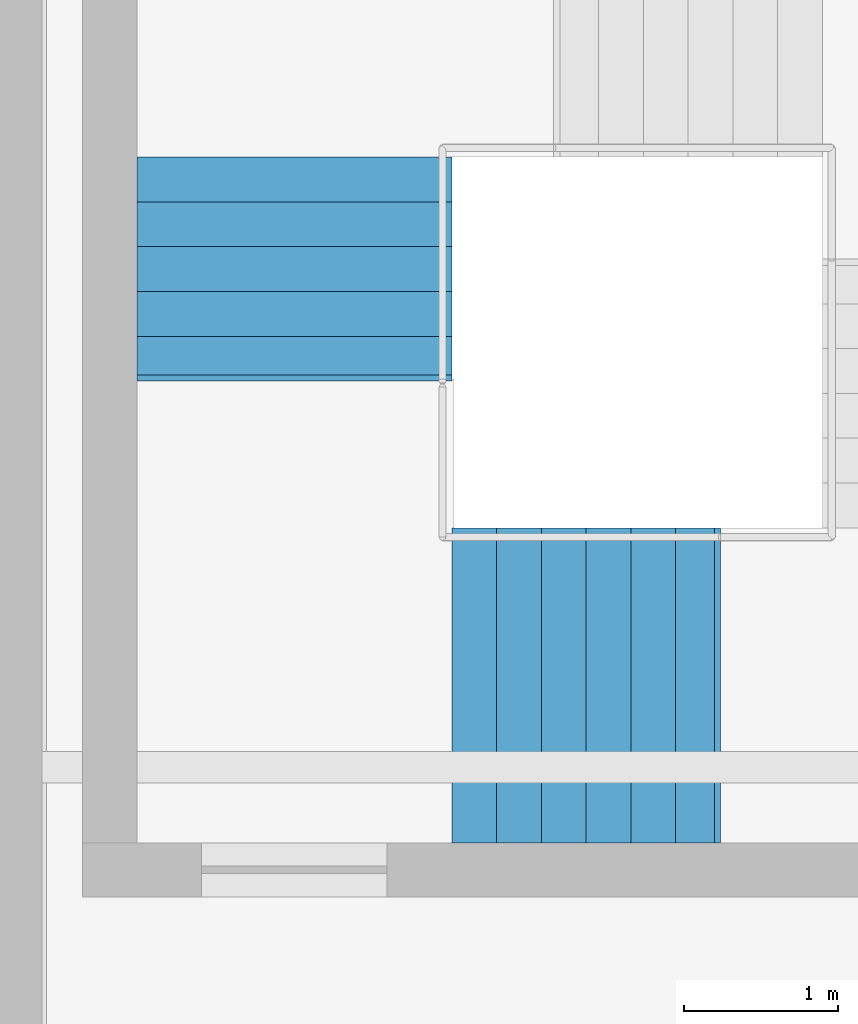
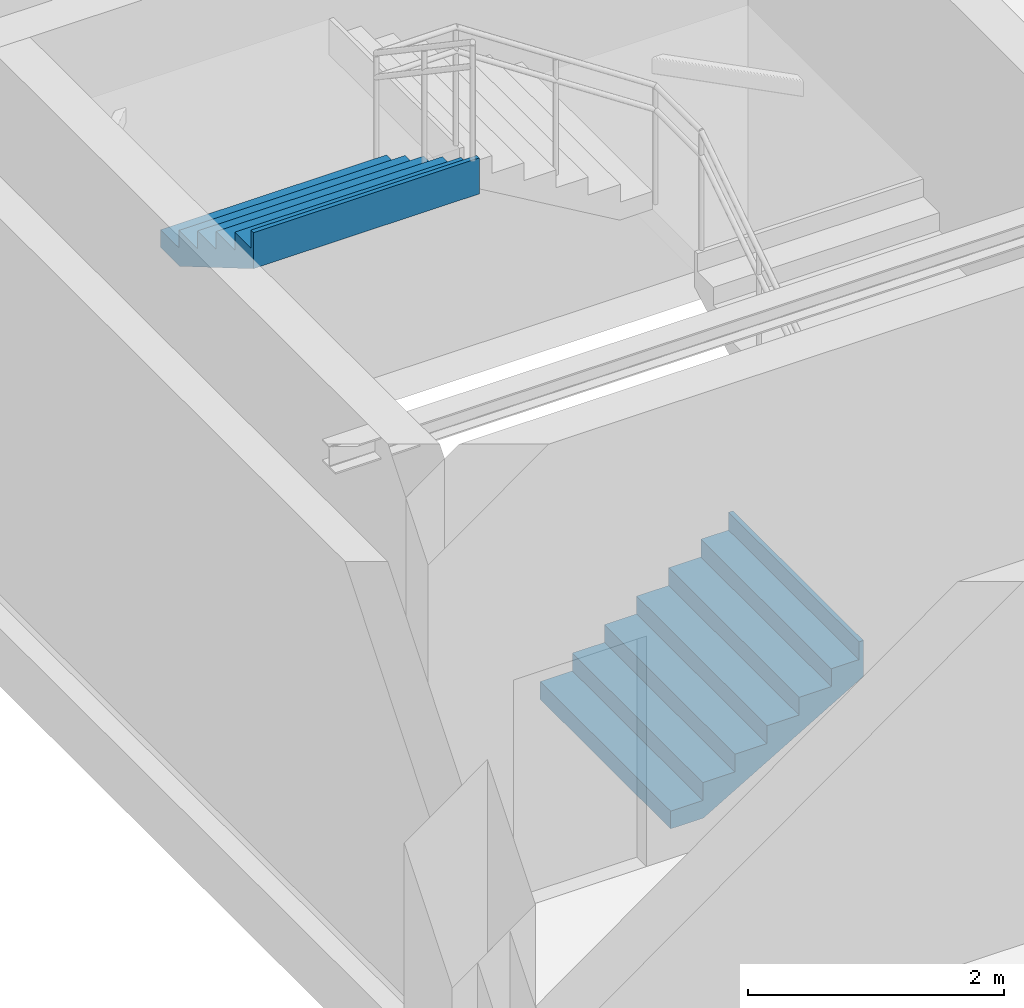
# One storey, part 58 of 69: 2 stair flights, 1 element without a shape of its own.
"""IFC4 building model written with IfcOpenShell, lengths in metres."""

from ifc_helpers import new_model, si_unit, direction, frame, origin, place, context, subcontext, project, spatial, triangles, material, type_object, element, aggregate, save


model = new_model("IFC4")

# Units and contexts
model_context = context("Model", 3, precision=1e-05, world=origin(), true_north=direction((0.0, 1.0)))
body_context = subcontext(model_context, "Body", "Model", "MODEL_VIEW")
ifc_project = project(units=[si_unit("LENGTHUNIT", "METRE"), si_unit("AREAUNIT", "SQUARE_METRE"), si_unit("VOLUMEUNIT", "CUBIC_METRE"), si_unit("PLANEANGLEUNIT", "RADIAN"), si_unit("MASSUNIT", "GRAM", prefix="KILO")], contexts=[model_context])

# Site, building, storey
site_placement = place(None, origin())
site = spatial("IfcSite", under=ifc_project, at=site_placement, CompositionType="ELEMENT")
building_placement = place(site_placement, origin())
building = spatial("IfcBuilding", under=site, at=building_placement, Name="Sillaruma Civic Art Gallery", CompositionType="ELEMENT")
storey_placement = place(building_placement, frame((0.0, 0.0, 42.330078125)))
storey = spatial("IfcBuildingStorey", under=building, at=storey_placement, Name="L08", CompositionType="ELEMENT", Elevation=42.330078125)

# Stair, stair flights
ifc_material = material(Name="Concrete H35 (35 MPa)", Category="concrete")
stair_type = type_object("IfcStairType", Name="STR-4F-27", PredefinedType="USERDEFINED", material=ifc_material)
stair_placement = place(storey_placement, origin())
stair = element("IfcStair", 1, at=stair_placement, inside=storey, type_object=stair_type, Name="Protected Exit Stair ST-03 (West Bar South) (L08)", ObjectType="THREE_RETURN_STAIR", PredefinedType="USERDEFINED")
stair_flight_type_1 = type_object("IfcStairFlightType", Name="SFL-STR-6", PredefinedType="STRAIGHT", material=ifc_material)
stair_flight_1_placement = place(storey_placement, frame((63.780029296875, 35.85009765625, 3.56982421875), z_axis=(0.0, 0.0, 1.0), x_axis=(0.0, -1.0, 0.0)))
stair_flight_1 = element("IfcStairFlight", 2, at=stair_flight_1_placement, type_object=stair_flight_type_1, Name="ST-03 flight 4", NumberOfRisers=6, NumberOfTreads=5, PredefinedType="STRAIGHT", RiserHeight=0.17, TreadLength=0.29, context=body_context, shape_type="Tessellation", body=[
    triangles([(0.0, -1.02001953125, 0.0), (0.29, -1.02001953125, 0.0), (0.296365, -1.02001953125, 0.0), (0.58, -1.02001953125, 0.166269), (0.87, -1.02001953125, 0.336269), (1.16, -1.02001953125, 0.506269), (1.409951, -1.02001953125, 0.652792), (1.449951, -1.02001953125, 0.67624), (1.449951, -1.02001953125, 1.02), (1.409951, -1.02001953125, 1.02), (1.409951, -1.02001953125, 0.85), (1.16, -1.02001953125, 0.85), (1.16, -1.02001953125, 0.68), (0.87, -1.02001953125, 0.68), (0.87, -1.02001953125, 0.51), (0.58, -1.02001953125, 0.51), (0.58, -1.02001953125, 0.34), (0.296365, -1.02001953125, 0.34), (0.29, -1.02001953125, 0.34), (0.29, -1.02001953125, 0.17), (0.0, -1.02001953125, 0.17), (0.0, -0.05, 0.0), (0.29, -0.05, 0.0), (0.296365, -0.05, 0.0), (0.58, -0.05, 0.166269), (0.87, -0.05, 0.336269), (1.16, -0.05, 0.506269), (1.409951, -0.05, 0.652792), (1.449951, -0.05, 0.67624), (1.449951, -0.05, 1.02), (1.409951, -0.05, 1.02), (1.409951, -0.05, 0.85), (1.16, -0.05, 0.85), (1.16, -0.05, 0.68), (0.87, -0.05, 0.68), (0.87, -0.05, 0.51), (0.58, -0.05, 0.51), (0.58, -0.05, 0.34), (0.296365, -0.05, 0.34), (0.29, -0.05, 0.34), (0.29, -0.05, 0.17), (0.0, -0.05, 0.17), (0.0, -0.0375, 0.0), (0.29, -0.0375, 0.0), (0.296365, -0.0375, 0.0), (0.58, -0.0375, 0.166269), (0.87, -0.0375, 0.336269), (1.16, -0.0375, 0.506269), (1.409951, -0.0375, 0.652792), (1.449951, -0.0375, 0.67624), (1.449951, -0.0375, 1.02), (1.409951, -0.0375, 1.02), (1.409951, -0.0375, 0.85), (1.16, -0.0375, 0.85), (1.16, -0.0375, 0.68), (0.87, -0.0375, 0.68), (0.87, -0.0375, 0.51), (0.58, -0.0375, 0.51), (0.58, -0.0375, 0.34), (0.296365, -0.0375, 0.34), (0.29, -0.0375, 0.34), (0.29, -0.0375, 0.17), (0.0, -0.0375, 0.17), (0.0, -0.025, 0.0), (0.29, -0.025, 0.0), (0.296365, -0.025, 0.0), (0.58, -0.025, 0.166269), (0.87, -0.025, 0.336269), (1.16, -0.025, 0.506269), (1.409951, -0.025, 0.652792), (1.449951, -0.025, 0.67624), (1.449951, -0.025, 1.02), (1.409951, -0.025, 1.02), (1.409951, -0.025, 0.85), (1.16, -0.025, 0.85), (1.16, -0.025, 0.68), (0.87, -0.025, 0.68), (0.87, -0.025, 0.51), (0.58, -0.025, 0.51), (0.58, -0.025, 0.34), (0.296365, -0.025, 0.34), (0.29, -0.025, 0.34), (0.29, -0.025, 0.17), (0.0, -0.025, 0.17), (0.0, -0.0125, 0.0), (0.29, -0.0125, 0.0), (0.296365, -0.0125, 0.0), (0.58, -0.0125, 0.166269), (0.87, -0.0125, 0.336269), (1.16, -0.0125, 0.506269), (1.409951, -0.0125, 0.652792), (1.449951, -0.0125, 0.67624), (1.449951, -0.0125, 1.02), (1.409951, -0.0125, 1.02), (1.409951, -0.0125, 0.85), (1.16, -0.0125, 0.85), (1.16, -0.0125, 0.68), (0.87, -0.0125, 0.68), (0.87, -0.0125, 0.51), (0.58, -0.0125, 0.51), (0.58, -0.0125, 0.34), (0.296365, -0.0125, 0.34), (0.29, -0.0125, 0.34), (0.29, -0.0125, 0.17), (0.0, -0.0125, 0.17), (0.0, 0.0, 0.0), (0.29, 0.0, 0.0), (0.296365, 0.0, 0.0), (0.58, 0.0, 0.166269), (0.87, 0.0, 0.336269), (1.16, 0.0, 0.506269), (1.409951, 0.0, 0.652792), (1.449951, 0.0, 0.67624), (1.449951, 0.0, 1.02), (1.409951, 0.0, 1.02), (1.409951, 0.0, 0.85), (1.16, 0.0, 0.85), (1.16, 0.0, 0.68), (0.87, 0.0, 0.68), (0.87, 0.0, 0.51), (0.58, 0.0, 0.51), (0.58, 0.0, 0.34), (0.296365, 0.0, 0.34), (0.29, 0.0, 0.34), (0.29, 0.0, 0.17), (0.0, 0.0, 0.17), (0.0, 0.0125, 0.0), (0.29, 0.0125, 0.0), (0.296365, 0.0125, 0.0), (0.58, 0.0125, 0.166269), (0.87, 0.0125, 0.336269), (1.16, 0.0125, 0.506269), (1.409951, 0.0125, 0.652792), (1.449951, 0.0125, 0.67624), (1.449951, 0.0125, 1.02), (1.409951, 0.0125, 1.02), (1.409951, 0.0125, 0.85), (1.16, 0.0125, 0.85), (1.16, 0.0125, 0.68), (0.87, 0.0125, 0.68), (0.87, 0.0125, 0.51), (0.58, 0.0125, 0.51), (0.58, 0.0125, 0.34), (0.296365, 0.0125, 0.34), (0.29, 0.0125, 0.34), (0.29, 0.0125, 0.17), (0.0, 0.0125, 0.17), (0.0, 0.025, 0.0), (0.29, 0.025, 0.0), (0.296365, 0.025, 0.0), (0.58, 0.025, 0.166269), (0.87, 0.025, 0.336269), (1.16, 0.025, 0.506269), (1.409951, 0.025, 0.652792), (1.449951, 0.025, 0.67624), (1.449951, 0.025, 1.02), (1.409951, 0.025, 1.02), (1.409951, 0.025, 0.85), (1.16, 0.025, 0.85), (1.16, 0.025, 0.68), (0.87, 0.025, 0.68), (0.87, 0.025, 0.51), (0.58, 0.025, 0.51), (0.58, 0.025, 0.34), (0.296365, 0.025, 0.34), (0.29, 0.025, 0.34), (0.29, 0.025, 0.17), (0.0, 0.025, 0.17), (0.0, 0.0375, 0.0), (0.29, 0.0375, 0.0), (0.296365, 0.0375, 0.0), (0.58, 0.0375, 0.166269), (0.87, 0.0375, 0.336269), (1.16, 0.0375, 0.506269), (1.409951, 0.0375, 0.652792), (1.449951, 0.0375, 0.67624), (1.449951, 0.0375, 1.02), (1.409951, 0.0375, 1.02), (1.409951, 0.0375, 0.85), (1.16, 0.0375, 0.85), (1.16, 0.0375, 0.68), (0.87, 0.0375, 0.68), (0.87, 0.0375, 0.51), (0.58, 0.0375, 0.51), (0.58, 0.0375, 0.34), (0.296365, 0.0375, 0.34), (0.29, 0.0375, 0.34), (0.29, 0.0375, 0.17), (0.0, 0.0375, 0.17), (0.0, 0.05, 0.0), (0.29, 0.05, 0.0), (0.296365, 0.05, 0.0), (0.58, 0.05, 0.166269), (0.87, 0.05, 0.336269), (1.16, 0.05, 0.506269), (1.409951, 0.05, 0.652792), (1.449951, 0.05, 0.67624), (1.449951, 0.05, 1.02), (1.409951, 0.05, 1.02), (1.409951, 0.05, 0.85), (1.16, 0.05, 0.85), (1.16, 0.05, 0.68), (0.87, 0.05, 0.68), (0.87, 0.05, 0.51), (0.58, 0.05, 0.51), (0.58, 0.05, 0.34), (0.296365, 0.05, 0.34), (0.29, 0.05, 0.34), (0.29, 0.05, 0.17), (0.0, 0.05, 0.17), (0.0, 1.02001953125, 0.0), (0.29, 1.02001953125, 0.0), (0.296365, 1.02001953125, 0.0), (0.58, 1.02001953125, 0.166269), (0.87, 1.02001953125, 0.336269), (1.16, 1.02001953125, 0.506269), (1.409951, 1.02001953125, 0.652792), (1.449951, 1.02001953125, 0.67624), (1.449951, 1.02001953125, 1.02), (1.409951, 1.02001953125, 1.02), (1.409951, 1.02001953125, 0.85), (1.16, 1.02001953125, 0.85), (1.16, 1.02001953125, 0.68), (0.87, 1.02001953125, 0.68), (0.87, 1.02001953125, 0.51), (0.58, 1.02001953125, 0.51), (0.58, 1.02001953125, 0.34), (0.296365, 1.02001953125, 0.34), (0.29, 1.02001953125, 0.34), (0.29, 1.02001953125, 0.17), (0.0, 1.02001953125, 0.17)], [[1, 2, 20], [1, 20, 21], [2, 3, 18], [2, 18, 20], [20, 18, 19], [3, 4, 17], [3, 17, 18], [4, 5, 15], [4, 15, 17], [17, 15, 16], [5, 6, 13], [5, 13, 15], [15, 13, 14], [6, 7, 11], [6, 11, 13], [13, 11, 12], [7, 8, 9], [7, 9, 11], [11, 9, 10], [230, 212, 211], [231, 230, 211], [228, 213, 212], [230, 228, 212], [229, 228, 230], [227, 214, 213], [228, 227, 213], [225, 215, 214], [227, 225, 214], [226, 225, 227], [223, 216, 215], [225, 223, 215], [224, 223, 225], [221, 217, 216], [223, 221, 216], [222, 221, 223], [219, 218, 217], [221, 219, 217], [220, 219, 221], [2, 1, 22], [2, 22, 23], [3, 2, 23], [3, 23, 24], [4, 3, 24], [4, 24, 25], [5, 4, 25], [5, 25, 26], [6, 5, 26], [6, 26, 27], [7, 6, 27], [7, 27, 28], [8, 7, 28], [8, 28, 29], [9, 8, 29], [9, 29, 30], [10, 9, 30], [10, 30, 31], [11, 10, 31], [11, 31, 32], [12, 11, 32], [12, 32, 33], [13, 12, 33], [13, 33, 34], [14, 13, 34], [14, 34, 35], [15, 14, 35], [15, 35, 36], [16, 15, 36], [16, 36, 37], [17, 16, 37], [17, 37, 38], [18, 17, 38], [18, 38, 39], [19, 18, 39], [19, 39, 40], [20, 19, 40], [20, 40, 41], [21, 20, 41], [21, 41, 42], [1, 21, 42], [1, 42, 22], [23, 22, 43], [23, 43, 44], [24, 23, 44], [24, 44, 45], [25, 24, 45], [25, 45, 46], [26, 25, 46], [26, 46, 47], [27, 26, 47], [27, 47, 48], [28, 27, 48], [28, 48, 49], [29, 28, 49], [29, 49, 50], [30, 29, 50], [30, 50, 51], [31, 30, 51], [31, 51, 52], [32, 31, 52], [32, 52, 53], [33, 32, 53], [33, 53, 54], [34, 33, 54], [34, 54, 55], [35, 34, 55], [35, 55, 56], [36, 35, 56], [36, 56, 57], [37, 36, 57], [37, 57, 58], [38, 37, 58], [38, 58, 59], [39, 38, 59], [39, 59, 60], [40, 39, 60], [40, 60, 61], [41, 40, 61], [41, 61, 62], [42, 41, 62], [42, 62, 63], [22, 42, 63], [22, 63, 43], [44, 43, 64], [44, 64, 65], [45, 44, 65], [45, 65, 66], [46, 45, 66], [46, 66, 67], [47, 46, 67], [47, 67, 68], [48, 47, 68], [48, 68, 69], [49, 48, 69], [49, 69, 70], [50, 49, 70], [50, 70, 71], [51, 50, 71], [51, 71, 72], [52, 51, 72], [52, 72, 73], [53, 52, 73], [53, 73, 74], [54, 53, 74], [54, 74, 75], [55, 54, 75], [55, 75, 76], [56, 55, 76], [56, 76, 77], [57, 56, 77], [57, 77, 78], [58, 57, 78], [58, 78, 79], [59, 58, 79], [59, 79, 80], [60, 59, 80], [60, 80, 81], [61, 60, 81], [61, 81, 82], [62, 61, 82], [62, 82, 83], [63, 62, 83], [63, 83, 84], [43, 63, 84], [43, 84, 64], [65, 64, 85], [65, 85, 86], [66, 65, 86], [66, 86, 87], [67, 66, 87], [67, 87, 88], [68, 67, 88], [68, 88, 89], [69, 68, 89], [69, 89, 90], [70, 69, 90], [70, 90, 91], [71, 70, 91], [71, 91, 92], [72, 71, 92], [72, 92, 93], [73, 72, 93], [73, 93, 94], [74, 73, 94], [74, 94, 95], [75, 74, 95], [75, 95, 96], [76, 75, 96], [76, 96, 97], [77, 76, 97], [77, 97, 98], [78, 77, 98], [78, 98, 99], [79, 78, 99], [79, 99, 100], [80, 79, 100], [80, 100, 101], [81, 80, 101], [81, 101, 102], [82, 81, 102], [82, 102, 103], [83, 82, 103], [83, 103, 104], [84, 83, 104], [84, 104, 105], [64, 84, 105], [64, 105, 85], [86, 85, 106], [86, 106, 107], [87, 86, 107], [87, 107, 108], [88, 87, 108], [88, 108, 109], [89, 88, 109], [89, 109, 110], [90, 89, 110], [90, 110, 111], [91, 90, 111], [91, 111, 112], [92, 91, 112], [92, 112, 113], [93, 92, 113], [93, 113, 114], [94, 93, 114], [94, 114, 115], [95, 94, 115], [95, 115, 116], [96, 95, 116], [96, 116, 117], [97, 96, 117], [97, 117, 118], [98, 97, 118], [98, 118, 119], [99, 98, 119], [99, 119, 120], [100, 99, 120], [100, 120, 121], [101, 100, 121], [101, 121, 122], [102, 101, 122], [102, 122, 123], [103, 102, 123], [103, 123, 124], [104, 103, 124], [104, 124, 125], [105, 104, 125], [105, 125, 126], [85, 105, 126], [85, 126, 106], [107, 106, 127], [107, 127, 128], [108, 107, 128], [108, 128, 129], [109, 108, 129], [109, 129, 130], [110, 109, 130], [110, 130, 131], [111, 110, 131], [111, 131, 132], [112, 111, 132], [112, 132, 133], [113, 112, 133], [113, 133, 134], [114, 113, 134], [114, 134, 135], [115, 114, 135], [115, 135, 136], [116, 115, 136], [116, 136, 137], [117, 116, 137], [117, 137, 138], [118, 117, 138], [118, 138, 139], [119, 118, 139], [119, 139, 140], [120, 119, 140], [120, 140, 141], [121, 120, 141], [121, 141, 142], [122, 121, 142], [122, 142, 143], [123, 122, 143], [123, 143, 144], [124, 123, 144], [124, 144, 145], [125, 124, 145], [125, 145, 146], [126, 125, 146], [126, 146, 147], [106, 126, 147], [106, 147, 127], [128, 127, 148], [128, 148, 149], [129, 128, 149], [129, 149, 150], [130, 129, 150], [130, 150, 151], [131, 130, 151], [131, 151, 152], [132, 131, 152], [132, 152, 153], [133, 132, 153], [133, 153, 154], [134, 133, 154], [134, 154, 155], [135, 134, 155], [135, 155, 156], [136, 135, 156], [136, 156, 157], [137, 136, 157], [137, 157, 158], [138, 137, 158], [138, 158, 159], [139, 138, 159], [139, 159, 160], [140, 139, 160], [140, 160, 161], [141, 140, 161], [141, 161, 162], [142, 141, 162], [142, 162, 163], [143, 142, 163], [143, 163, 164], [144, 143, 164], [144, 164, 165], [145, 144, 165], [145, 165, 166], [146, 145, 166], [146, 166, 167], [147, 146, 167], [147, 167, 168], [127, 147, 168], [127, 168, 148], [149, 148, 169], [149, 169, 170], [150, 149, 170], [150, 170, 171], [151, 150, 171], [151, 171, 172], [152, 151, 172], [152, 172, 173], [153, 152, 173], [153, 173, 174], [154, 153, 174], [154, 174, 175], [155, 154, 175], [155, 175, 176], [156, 155, 176], [156, 176, 177], [157, 156, 177], [157, 177, 178], [158, 157, 178], [158, 178, 179], [159, 158, 179], [159, 179, 180], [160, 159, 180], [160, 180, 181], [161, 160, 181], [161, 181, 182], [162, 161, 182], [162, 182, 183], [163, 162, 183], [163, 183, 184], [164, 163, 184], [164, 184, 185], [165, 164, 185], [165, 185, 186], [166, 165, 186], [166, 186, 187], [167, 166, 187], [167, 187, 188], [168, 167, 188], [168, 188, 189], [148, 168, 189], [148, 189, 169], [170, 169, 190], [170, 190, 191], [171, 170, 191], [171, 191, 192], [172, 171, 192], [172, 192, 193], [173, 172, 193], [173, 193, 194], [174, 173, 194], [174, 194, 195], [175, 174, 195], [175, 195, 196], [176, 175, 196], [176, 196, 197], [177, 176, 197], [177, 197, 198], [178, 177, 198], [178, 198, 199], [179, 178, 199], [179, 199, 200], [180, 179, 200], [180, 200, 201], [181, 180, 201], [181, 201, 202], [182, 181, 202], [182, 202, 203], [183, 182, 203], [183, 203, 204], [184, 183, 204], [184, 204, 205], [185, 184, 205], [185, 205, 206], [186, 185, 206], [186, 206, 207], [187, 186, 207], [187, 207, 208], [188, 187, 208], [188, 208, 209], [189, 188, 209], [189, 209, 210], [169, 189, 210], [169, 210, 190], [191, 190, 211], [191, 211, 212], [192, 191, 212], [192, 212, 213], [193, 192, 213], [193, 213, 214], [194, 193, 214], [194, 214, 215], [195, 194, 215], [195, 215, 216], [196, 195, 216], [196, 216, 217], [197, 196, 217], [197, 217, 218], [198, 197, 218], [198, 218, 219], [199, 198, 219], [199, 219, 220], [200, 199, 220], [200, 220, 221], [201, 200, 221], [201, 221, 222], [202, 201, 222], [202, 222, 223], [203, 202, 223], [203, 223, 224], [204, 203, 224], [204, 224, 225], [205, 204, 225], [205, 225, 226], [206, 205, 226], [206, 226, 227], [207, 206, 227], [207, 227, 228], [208, 207, 228], [208, 228, 229], [209, 208, 229], [209, 229, 230], [210, 209, 230], [210, 230, 231], [190, 210, 231], [190, 231, 211]], closed=True),
])
stair_flight_type_2 = type_object("IfcStairFlightType", Name="SFL-STR-7", PredefinedType="STRAIGHT", material=ifc_material)
stair_flight_2_placement = place(storey_placement, frame((64.800048828125, 32.429931640625, 0.0), z_axis=(0.0, 0.0, 1.0), x_axis=(1.0, 0.0, 0.0)))
stair_flight_2 = element("IfcStairFlight", 3, at=stair_flight_2_placement, type_object=stair_flight_type_2, Name="ST-03 flight 1", NumberOfRisers=7, NumberOfTreads=6, PredefinedType="STRAIGHT", RiserHeight=0.17, TreadLength=0.29, context=body_context, shape_type="Tessellation", body=[
    triangles([(0.0, -1.02001953125, 0.0), (0.29, -1.02001953125, 0.0), (0.296404, -1.02001953125, 0.0), (0.58, -1.02001953125, 0.166246), (0.87, -1.02001953125, 0.336246), (1.16, -1.02001953125, 0.506246), (1.45, -1.02001953125, 0.676246), (1.69999, -1.02001953125, 0.822792), (1.73999, -1.02001953125, 0.84624), (1.73999, -1.02001953125, 1.19), (1.69999, -1.02001953125, 1.19), (1.69999, -1.02001953125, 1.02), (1.45, -1.02001953125, 1.02), (1.45, -1.02001953125, 0.85), (1.16, -1.02001953125, 0.85), (1.16, -1.02001953125, 0.68), (0.87, -1.02001953125, 0.68), (0.87, -1.02001953125, 0.51), (0.58, -1.02001953125, 0.51), (0.58, -1.02001953125, 0.34), (0.296404, -1.02001953125, 0.34), (0.29, -1.02001953125, 0.34), (0.29, -1.02001953125, 0.17), (0.0, -1.02001953125, 0.17), (0.0, -0.05, 0.0), (0.29, -0.05, 0.0), (0.296404, -0.05, 0.0), (0.58, -0.05, 0.166246), (0.87, -0.05, 0.336246), (1.16, -0.05, 0.506246), (1.45, -0.05, 0.676246), (1.69999, -0.05, 0.822792), (1.73999, -0.05, 0.84624), (1.73999, -0.05, 1.19), (1.69999, -0.05, 1.19), (1.69999, -0.05, 1.02), (1.45, -0.05, 1.02), (1.45, -0.05, 0.85), (1.16, -0.05, 0.85), (1.16, -0.05, 0.68), (0.87, -0.05, 0.68), (0.87, -0.05, 0.51), (0.58, -0.05, 0.51), (0.58, -0.05, 0.34), (0.296404, -0.05, 0.34), (0.29, -0.05, 0.34), (0.29, -0.05, 0.17), (0.0, -0.05, 0.17), (0.0, -0.0375, 0.0), (0.29, -0.0375, 0.0), (0.296404, -0.0375, 0.0), (0.58, -0.0375, 0.166246), (0.87, -0.0375, 0.336246), (1.16, -0.0375, 0.506246), (1.45, -0.0375, 0.676246), (1.69999, -0.0375, 0.822792), (1.73999, -0.0375, 0.84624), (1.73999, -0.0375, 1.19), (1.69999, -0.0375, 1.19), (1.69999, -0.0375, 1.02), (1.45, -0.0375, 1.02), (1.45, -0.0375, 0.85), (1.16, -0.0375, 0.85), (1.16, -0.0375, 0.68), (0.87, -0.0375, 0.68), (0.87, -0.0375, 0.51), (0.58, -0.0375, 0.51), (0.58, -0.0375, 0.34), (0.296404, -0.0375, 0.34), (0.29, -0.0375, 0.34), (0.29, -0.0375, 0.17), (0.0, -0.0375, 0.17), (0.0, -0.025, 0.0), (0.29, -0.025, 0.0), (0.296404, -0.025, 0.0), (0.58, -0.025, 0.166246), (0.87, -0.025, 0.336246), (1.16, -0.025, 0.506246), (1.45, -0.025, 0.676246), (1.69999, -0.025, 0.822792), (1.73999, -0.025, 0.84624), (1.73999, -0.025, 1.19), (1.69999, -0.025, 1.19), (1.69999, -0.025, 1.02), (1.45, -0.025, 1.02), (1.45, -0.025, 0.85), (1.16, -0.025, 0.85), (1.16, -0.025, 0.68), (0.87, -0.025, 0.68), (0.87, -0.025, 0.51), (0.58, -0.025, 0.51), (0.58, -0.025, 0.34), (0.296404, -0.025, 0.34), (0.29, -0.025, 0.34), (0.29, -0.025, 0.17), (0.0, -0.025, 0.17), (0.0, -0.0125, 0.0), (0.29, -0.0125, 0.0), (0.296404, -0.0125, 0.0), (0.58, -0.0125, 0.166246), (0.87, -0.0125, 0.336246), (1.16, -0.0125, 0.506246), (1.45, -0.0125, 0.676246), (1.69999, -0.0125, 0.822792), (1.73999, -0.0125, 0.84624), (1.73999, -0.0125, 1.19), (1.69999, -0.0125, 1.19), (1.69999, -0.0125, 1.02), (1.45, -0.0125, 1.02), (1.45, -0.0125, 0.85), (1.16, -0.0125, 0.85), (1.16, -0.0125, 0.68), (0.87, -0.0125, 0.68), (0.87, -0.0125, 0.51), (0.58, -0.0125, 0.51), (0.58, -0.0125, 0.34), (0.296404, -0.0125, 0.34), (0.29, -0.0125, 0.34), (0.29, -0.0125, 0.17), (0.0, -0.0125, 0.17), (0.0, 0.0, 0.0), (0.29, 0.0, 0.0), (0.296404, 0.0, 0.0), (0.58, 0.0, 0.166246), (0.87, 0.0, 0.336246), (1.16, 0.0, 0.506246), (1.45, 0.0, 0.676246), (1.69999, 0.0, 0.822792), (1.73999, 0.0, 0.84624), (1.73999, 0.0, 1.19), (1.69999, 0.0, 1.19), (1.69999, 0.0, 1.02), (1.45, 0.0, 1.02), (1.45, 0.0, 0.85), (1.16, 0.0, 0.85), (1.16, 0.0, 0.68), (0.87, 0.0, 0.68), (0.87, 0.0, 0.51), (0.58, 0.0, 0.51), (0.58, 0.0, 0.34), (0.296404, 0.0, 0.34), (0.29, 0.0, 0.34), (0.29, 0.0, 0.17), (0.0, 0.0, 0.17), (0.0, 0.0125, 0.0), (0.29, 0.0125, 0.0), (0.296404, 0.0125, 0.0), (0.58, 0.0125, 0.166246), (0.87, 0.0125, 0.336246), (1.16, 0.0125, 0.506246), (1.45, 0.0125, 0.676246), (1.69999, 0.0125, 0.822792), (1.73999, 0.0125, 0.84624), (1.73999, 0.0125, 1.19), (1.69999, 0.0125, 1.19), (1.69999, 0.0125, 1.02), (1.45, 0.0125, 1.02), (1.45, 0.0125, 0.85), (1.16, 0.0125, 0.85), (1.16, 0.0125, 0.68), (0.87, 0.0125, 0.68), (0.87, 0.0125, 0.51), (0.58, 0.0125, 0.51), (0.58, 0.0125, 0.34), (0.296404, 0.0125, 0.34), (0.29, 0.0125, 0.34), (0.29, 0.0125, 0.17), (0.0, 0.0125, 0.17), (0.0, 0.025, 0.0), (0.29, 0.025, 0.0), (0.296404, 0.025, 0.0), (0.58, 0.025, 0.166246), (0.87, 0.025, 0.336246), (1.16, 0.025, 0.506246), (1.45, 0.025, 0.676246), (1.69999, 0.025, 0.822792), (1.73999, 0.025, 0.84624), (1.73999, 0.025, 1.19), (1.69999, 0.025, 1.19), (1.69999, 0.025, 1.02), (1.45, 0.025, 1.02), (1.45, 0.025, 0.85), (1.16, 0.025, 0.85), (1.16, 0.025, 0.68), (0.87, 0.025, 0.68), (0.87, 0.025, 0.51), (0.58, 0.025, 0.51), (0.58, 0.025, 0.34), (0.296404, 0.025, 0.34), (0.29, 0.025, 0.34), (0.29, 0.025, 0.17), (0.0, 0.025, 0.17), (0.0, 0.0375, 0.0), (0.29, 0.0375, 0.0), (0.296404, 0.0375, 0.0), (0.58, 0.0375, 0.166246), (0.87, 0.0375, 0.336246), (1.16, 0.0375, 0.506246), (1.45, 0.0375, 0.676246), (1.69999, 0.0375, 0.822792), (1.73999, 0.0375, 0.84624), (1.73999, 0.0375, 1.19), (1.69999, 0.0375, 1.19), (1.69999, 0.0375, 1.02), (1.45, 0.0375, 1.02), (1.45, 0.0375, 0.85), (1.16, 0.0375, 0.85), (1.16, 0.0375, 0.68), (0.87, 0.0375, 0.68), (0.87, 0.0375, 0.51), (0.58, 0.0375, 0.51), (0.58, 0.0375, 0.34), (0.296404, 0.0375, 0.34), (0.29, 0.0375, 0.34), (0.29, 0.0375, 0.17), (0.0, 0.0375, 0.17), (0.0, 0.05, 0.0), (0.29, 0.05, 0.0), (0.296404, 0.05, 0.0), (0.58, 0.05, 0.166246), (0.87, 0.05, 0.336246), (1.16, 0.05, 0.506246), (1.45, 0.05, 0.676246), (1.69999, 0.05, 0.822792), (1.73999, 0.05, 0.84624), (1.73999, 0.05, 1.19), (1.69999, 0.05, 1.19), (1.69999, 0.05, 1.02), (1.45, 0.05, 1.02), (1.45, 0.05, 0.85), (1.16, 0.05, 0.85), (1.16, 0.05, 0.68), (0.87, 0.05, 0.68), (0.87, 0.05, 0.51), (0.58, 0.05, 0.51), (0.58, 0.05, 0.34), (0.296404, 0.05, 0.34), (0.29, 0.05, 0.34), (0.29, 0.05, 0.17), (0.0, 0.05, 0.17), (0.0, 1.02001953125, 0.0), (0.29, 1.02001953125, 0.0), (0.296404, 1.02001953125, 0.0), (0.58, 1.02001953125, 0.166246), (0.87, 1.02001953125, 0.336246), (1.16, 1.02001953125, 0.506246), (1.45, 1.02001953125, 0.676246), (1.69999, 1.02001953125, 0.822792), (1.73999, 1.02001953125, 0.84624), (1.73999, 1.02001953125, 1.19), (1.69999, 1.02001953125, 1.19), (1.69999, 1.02001953125, 1.02), (1.45, 1.02001953125, 1.02), (1.45, 1.02001953125, 0.85), (1.16, 1.02001953125, 0.85), (1.16, 1.02001953125, 0.68), (0.87, 1.02001953125, 0.68), (0.87, 1.02001953125, 0.51), (0.58, 1.02001953125, 0.51), (0.58, 1.02001953125, 0.34), (0.296404, 1.02001953125, 0.34), (0.29, 1.02001953125, 0.34), (0.29, 1.02001953125, 0.17), (0.0, 1.02001953125, 0.17)], [[1, 2, 23], [1, 23, 24], [2, 3, 21], [2, 21, 23], [23, 21, 22], [3, 4, 20], [3, 20, 21], [4, 5, 18], [4, 18, 20], [20, 18, 19], [5, 6, 16], [5, 16, 18], [18, 16, 17], [6, 7, 14], [6, 14, 16], [16, 14, 15], [7, 8, 12], [7, 12, 14], [14, 12, 13], [8, 9, 10], [8, 10, 12], [12, 10, 11], [263, 242, 241], [264, 263, 241], [261, 243, 242], [263, 261, 242], [262, 261, 263], [260, 244, 243], [261, 260, 243], [258, 245, 244], [260, 258, 244], [259, 258, 260], [256, 246, 245], [258, 256, 245], [257, 256, 258], [254, 247, 246], [256, 254, 246], [255, 254, 256], [252, 248, 247], [254, 252, 247], [253, 252, 254], [250, 249, 248], [252, 250, 248], [251, 250, 252], [2, 1, 25], [2, 25, 26], [3, 2, 26], [3, 26, 27], [4, 3, 27], [4, 27, 28], [5, 4, 28], [5, 28, 29], [6, 5, 29], [6, 29, 30], [7, 6, 30], [7, 30, 31], [8, 7, 31], [8, 31, 32], [9, 8, 32], [9, 32, 33], [10, 9, 33], [10, 33, 34], [11, 10, 34], [11, 34, 35], [12, 11, 35], [12, 35, 36], [13, 12, 36], [13, 36, 37], [14, 13, 37], [14, 37, 38], [15, 14, 38], [15, 38, 39], [16, 15, 39], [16, 39, 40], [17, 16, 40], [17, 40, 41], [18, 17, 41], [18, 41, 42], [19, 18, 42], [19, 42, 43], [20, 19, 43], [20, 43, 44], [21, 20, 44], [21, 44, 45], [22, 21, 45], [22, 45, 46], [23, 22, 46], [23, 46, 47], [24, 23, 47], [24, 47, 48], [1, 24, 48], [1, 48, 25], [26, 25, 49], [26, 49, 50], [27, 26, 50], [27, 50, 51], [28, 27, 51], [28, 51, 52], [29, 28, 52], [29, 52, 53], [30, 29, 53], [30, 53, 54], [31, 30, 54], [31, 54, 55], [32, 31, 55], [32, 55, 56], [33, 32, 56], [33, 56, 57], [34, 33, 57], [34, 57, 58], [35, 34, 58], [35, 58, 59], [36, 35, 59], [36, 59, 60], [37, 36, 60], [37, 60, 61], [38, 37, 61], [38, 61, 62], [39, 38, 62], [39, 62, 63], [40, 39, 63], [40, 63, 64], [41, 40, 64], [41, 64, 65], [42, 41, 65], [42, 65, 66], [43, 42, 66], [43, 66, 67], [44, 43, 67], [44, 67, 68], [45, 44, 68], [45, 68, 69], [46, 45, 69], [46, 69, 70], [47, 46, 70], [47, 70, 71], [48, 47, 71], [48, 71, 72], [25, 48, 72], [25, 72, 49], [50, 49, 73], [50, 73, 74], [51, 50, 74], [51, 74, 75], [52, 51, 75], [52, 75, 76], [53, 52, 76], [53, 76, 77], [54, 53, 77], [54, 77, 78], [55, 54, 78], [55, 78, 79], [56, 55, 79], [56, 79, 80], [57, 56, 80], [57, 80, 81], [58, 57, 81], [58, 81, 82], [59, 58, 82], [59, 82, 83], [60, 59, 83], [60, 83, 84], [61, 60, 84], [61, 84, 85], [62, 61, 85], [62, 85, 86], [63, 62, 86], [63, 86, 87], [64, 63, 87], [64, 87, 88], [65, 64, 88], [65, 88, 89], [66, 65, 89], [66, 89, 90], [67, 66, 90], [67, 90, 91], [68, 67, 91], [68, 91, 92], [69, 68, 92], [69, 92, 93], [70, 69, 93], [70, 93, 94], [71, 70, 94], [71, 94, 95], [72, 71, 95], [72, 95, 96], [49, 72, 96], [49, 96, 73], [74, 73, 97], [74, 97, 98], [75, 74, 98], [75, 98, 99], [76, 75, 99], [76, 99, 100], [77, 76, 100], [77, 100, 101], [78, 77, 101], [78, 101, 102], [79, 78, 102], [79, 102, 103], [80, 79, 103], [80, 103, 104], [81, 80, 104], [81, 104, 105], [82, 81, 105], [82, 105, 106], [83, 82, 106], [83, 106, 107], [84, 83, 107], [84, 107, 108], [85, 84, 108], [85, 108, 109], [86, 85, 109], [86, 109, 110], [87, 86, 110], [87, 110, 111], [88, 87, 111], [88, 111, 112], [89, 88, 112], [89, 112, 113], [90, 89, 113], [90, 113, 114], [91, 90, 114], [91, 114, 115], [92, 91, 115], [92, 115, 116], [93, 92, 116], [93, 116, 117], [94, 93, 117], [94, 117, 118], [95, 94, 118], [95, 118, 119], [96, 95, 119], [96, 119, 120], [73, 96, 120], [73, 120, 97], [98, 97, 121], [98, 121, 122], [99, 98, 122], [99, 122, 123], [100, 99, 123], [100, 123, 124], [101, 100, 124], [101, 124, 125], [102, 101, 125], [102, 125, 126], [103, 102, 126], [103, 126, 127], [104, 103, 127], [104, 127, 128], [105, 104, 128], [105, 128, 129], [106, 105, 129], [106, 129, 130], [107, 106, 130], [107, 130, 131], [108, 107, 131], [108, 131, 132], [109, 108, 132], [109, 132, 133], [110, 109, 133], [110, 133, 134], [111, 110, 134], [111, 134, 135], [112, 111, 135], [112, 135, 136], [113, 112, 136], [113, 136, 137], [114, 113, 137], [114, 137, 138], [115, 114, 138], [115, 138, 139], [116, 115, 139], [116, 139, 140], [117, 116, 140], [117, 140, 141], [118, 117, 141], [118, 141, 142], [119, 118, 142], [119, 142, 143], [120, 119, 143], [120, 143, 144], [97, 120, 144], [97, 144, 121], [122, 121, 145], [122, 145, 146], [123, 122, 146], [123, 146, 147], [124, 123, 147], [124, 147, 148], [125, 124, 148], [125, 148, 149], [126, 125, 149], [126, 149, 150], [127, 126, 150], [127, 150, 151], [128, 127, 151], [128, 151, 152], [129, 128, 152], [129, 152, 153], [130, 129, 153], [130, 153, 154], [131, 130, 154], [131, 154, 155], [132, 131, 155], [132, 155, 156], [133, 132, 156], [133, 156, 157], [134, 133, 157], [134, 157, 158], [135, 134, 158], [135, 158, 159], [136, 135, 159], [136, 159, 160], [137, 136, 160], [137, 160, 161], [138, 137, 161], [138, 161, 162], [139, 138, 162], [139, 162, 163], [140, 139, 163], [140, 163, 164], [141, 140, 164], [141, 164, 165], [142, 141, 165], [142, 165, 166], [143, 142, 166], [143, 166, 167], [144, 143, 167], [144, 167, 168], [121, 144, 168], [121, 168, 145], [146, 145, 169], [146, 169, 170], [147, 146, 170], [147, 170, 171], [148, 147, 171], [148, 171, 172], [149, 148, 172], [149, 172, 173], [150, 149, 173], [150, 173, 174], [151, 150, 174], [151, 174, 175], [152, 151, 175], [152, 175, 176], [153, 152, 176], [153, 176, 177], [154, 153, 177], [154, 177, 178], [155, 154, 178], [155, 178, 179], [156, 155, 179], [156, 179, 180], [157, 156, 180], [157, 180, 181], [158, 157, 181], [158, 181, 182], [159, 158, 182], [159, 182, 183], [160, 159, 183], [160, 183, 184], [161, 160, 184], [161, 184, 185], [162, 161, 185], [162, 185, 186], [163, 162, 186], [163, 186, 187], [164, 163, 187], [164, 187, 188], [165, 164, 188], [165, 188, 189], [166, 165, 189], [166, 189, 190], [167, 166, 190], [167, 190, 191], [168, 167, 191], [168, 191, 192], [145, 168, 192], [145, 192, 169], [170, 169, 193], [170, 193, 194], [171, 170, 194], [171, 194, 195], [172, 171, 195], [172, 195, 196], [173, 172, 196], [173, 196, 197], [174, 173, 197], [174, 197, 198], [175, 174, 198], [175, 198, 199], [176, 175, 199], [176, 199, 200], [177, 176, 200], [177, 200, 201], [178, 177, 201], [178, 201, 202], [179, 178, 202], [179, 202, 203], [180, 179, 203], [180, 203, 204], [181, 180, 204], [181, 204, 205], [182, 181, 205], [182, 205, 206], [183, 182, 206], [183, 206, 207], [184, 183, 207], [184, 207, 208], [185, 184, 208], [185, 208, 209], [186, 185, 209], [186, 209, 210], [187, 186, 210], [187, 210, 211], [188, 187, 211], [188, 211, 212], [189, 188, 212], [189, 212, 213], [190, 189, 213], [190, 213, 214], [191, 190, 214], [191, 214, 215], [192, 191, 215], [192, 215, 216], [169, 192, 216], [169, 216, 193], [194, 193, 217], [194, 217, 218], [195, 194, 218], [195, 218, 219], [196, 195, 219], [196, 219, 220], [197, 196, 220], [197, 220, 221], [198, 197, 221], [198, 221, 222], [199, 198, 222], [199, 222, 223], [200, 199, 223], [200, 223, 224], [201, 200, 224], [201, 224, 225], [202, 201, 225], [202, 225, 226], [203, 202, 226], [203, 226, 227], [204, 203, 227], [204, 227, 228], [205, 204, 228], [205, 228, 229], [206, 205, 229], [206, 229, 230], [207, 206, 230], [207, 230, 231], [208, 207, 231], [208, 231, 232], [209, 208, 232], [209, 232, 233], [210, 209, 233], [210, 233, 234], [211, 210, 234], [211, 234, 235], [212, 211, 235], [212, 235, 236], [213, 212, 236], [213, 236, 237], [214, 213, 237], [214, 237, 238], [215, 214, 238], [215, 238, 239], [216, 215, 239], [216, 239, 240], [193, 216, 240], [193, 240, 217], [218, 217, 241], [218, 241, 242], [219, 218, 242], [219, 242, 243], [220, 219, 243], [220, 243, 244], [221, 220, 244], [221, 244, 245], [222, 221, 245], [222, 245, 246], [223, 222, 246], [223, 246, 247], [224, 223, 247], [224, 247, 248], [225, 224, 248], [225, 248, 249], [226, 225, 249], [226, 249, 250], [227, 226, 250], [227, 250, 251], [228, 227, 251], [228, 251, 252], [229, 228, 252], [229, 252, 253], [230, 229, 253], [230, 253, 254], [231, 230, 254], [231, 254, 255], [232, 231, 255], [232, 255, 256], [233, 232, 256], [233, 256, 257], [234, 233, 257], [234, 257, 258], [235, 234, 258], [235, 258, 259], [236, 235, 259], [236, 259, 260], [237, 236, 260], [237, 260, 261], [238, 237, 261], [238, 261, 262], [239, 238, 262], [239, 262, 263], [240, 239, 263], [240, 263, 264], [217, 240, 264], [217, 264, 241]], closed=True),
])
aggregate(stair, [stair_flight_2, stair_flight_1])

save(model, "model.ifc")
